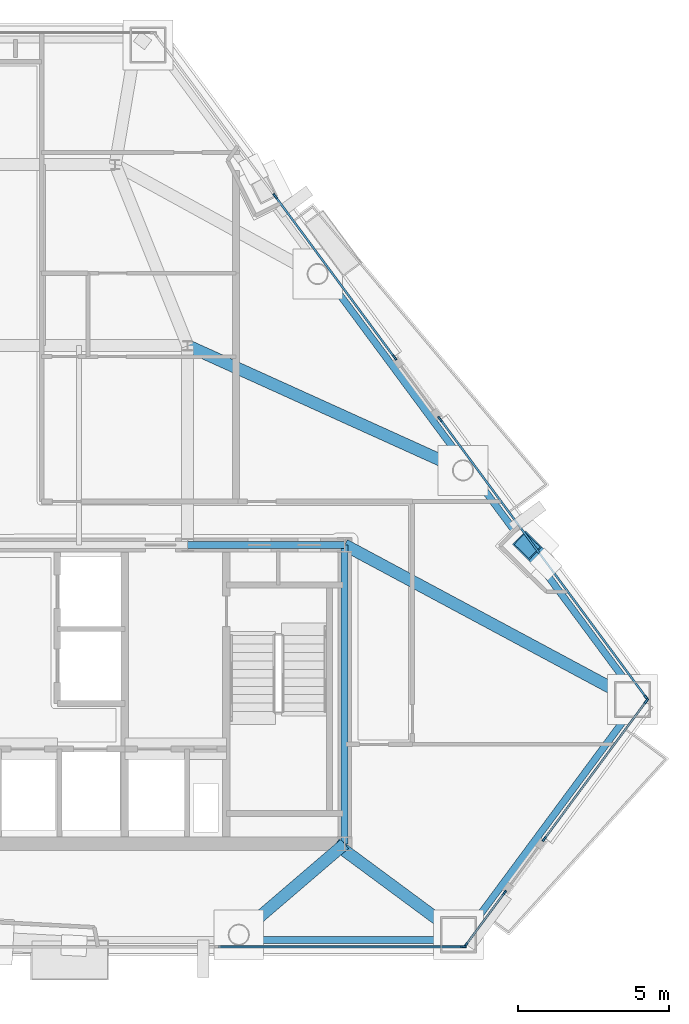
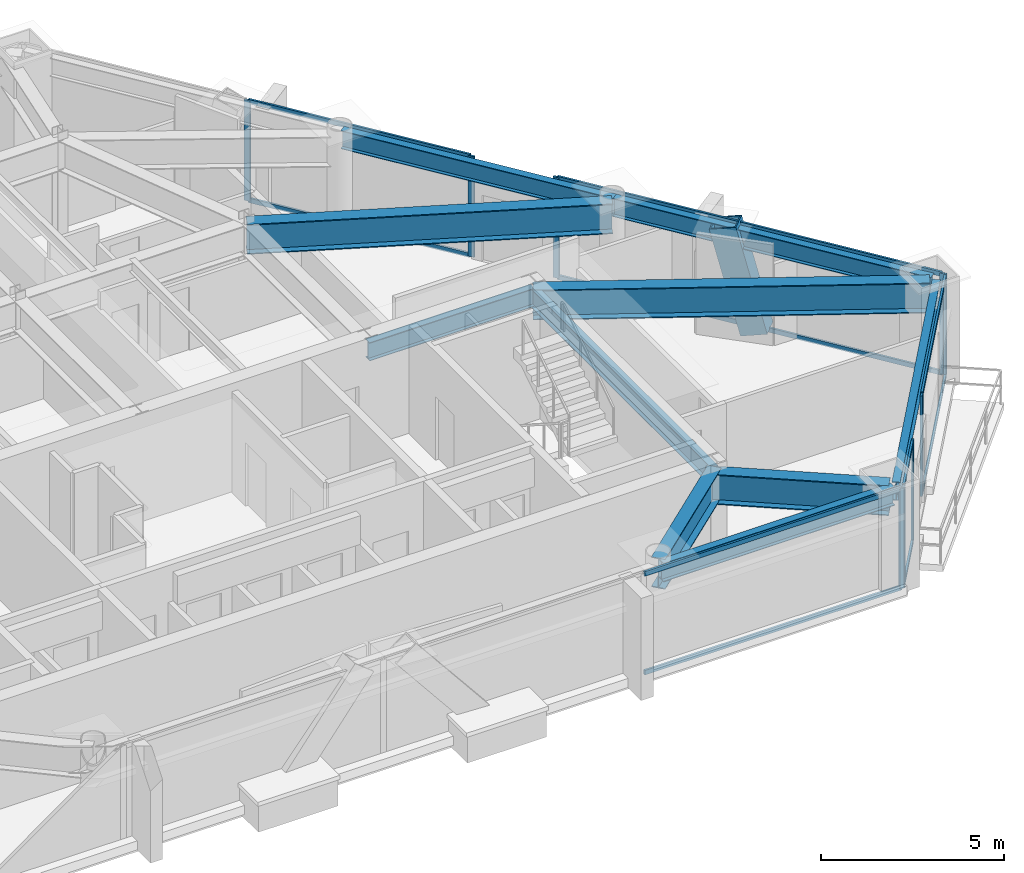
# One storey, part 5 of 11: 20 members, 10 beams, 5 elements without a shape of their own.
"""IFC4 building model written with IfcOpenShell, lengths in metres."""

from ifc_helpers import new_model, si_unit, direction, frame, origin, origin_2d, place, context, subcontext, project, spatial, rectangle, hollow_rectangle, i_section, extrude, material, layer, layer_set, material_profile, profile_set, type_object, element, aggregate, save


model = new_model("IFC4")

# Units and contexts
model_context = context("Model", 3, precision=1e-05, world=origin(), true_north=direction((0.0, 1.0)))
body_context = subcontext(model_context, "Body", "Model", "MODEL_VIEW")
ifc_project = project(units=[si_unit("LENGTHUNIT", "METRE"), si_unit("AREAUNIT", "SQUARE_METRE"), si_unit("VOLUMEUNIT", "CUBIC_METRE"), si_unit("PLANEANGLEUNIT", "RADIAN"), si_unit("MASSUNIT", "GRAM", prefix="KILO")], contexts=[model_context])

# Site, building, storey
site_placement = place(None, origin())
site = spatial("IfcSite", under=ifc_project, at=site_placement, CompositionType="ELEMENT")
building_placement = place(site_placement, origin())
building = spatial("IfcBuilding", under=site, at=building_placement, Name="Talgorran Terracotta Tower", CompositionType="ELEMENT")
storey_placement = place(building_placement, frame((0.0, 0.0, 110.39990234375)))
storey = spatial("IfcBuildingStorey", under=building, at=storey_placement, Name="L28", CompositionType="ELEMENT", Elevation=110.39990234375)

# Beams
ifc_material_1 = material(Name="Steel Grade 350 (350L0)", Category="steel")
ifc_material_profile_1 = material_profile(ifc_material_1, i_section(OverallWidth=0.39990234375, OverallDepth=1.0, WebThickness=0.01611328125, FlangeThickness=0.031005859375, at=origin_2d()), Name="1000WB296")
ifc_profile_set_1 = profile_set([ifc_material_profile_1], Name="Steel Grade 350 (350L0)")
beam_type_1 = type_object("IfcBeamType", Name="BM_1000WB296", PredefinedType="BEAM", material=ifc_profile_set_1)
beam_1_placement = place(storey_placement, frame((12.39990234375, -14.10009765625, 2.85009765625), z_axis=(-0.759159629556, -0.650904491345, 0.0), x_axis=(0.650904491345, -0.759159629556, 0.0)))
element("IfcBeam", 1, at=beam_1_placement, inside=storey, type_object=beam_type_1, Name="L28 South-East Core Tie Beam", PredefinedType="BEAM", context=body_context, shape_type="SweptSolid", body=[
    extrude(i_section(OverallWidth=0.39990234375, OverallDepth=1.0, WebThickness=0.01611328125, FlangeThickness=0.031005859375, at=origin_2d()), origin(), (0.0, 0.0, 1.0), 4.62109375),
])
beam_2_placement = place(storey_placement, frame((16.1669921875, -17.10791015625, 2.85009765625), z_axis=(-0.804001573254, 0.594627169077, 0.0), x_axis=(-0.594627169077, -0.804001573254, 0.0)))
element("IfcBeam", 2, at=beam_2_placement, inside=storey, type_object=beam_type_1, Name="L28 Perimeter Step Girder 5", PredefinedType="BEAM", context=body_context, shape_type="SweptSolid", body=[
    extrude(i_section(OverallWidth=0.39990234375, OverallDepth=1.0, WebThickness=0.01611328125, FlangeThickness=0.031005859375, at=origin_2d()), origin(), (0.0, 0.0, 1.0), 5.058349609375),
])
beam_3_placement = place(storey_placement, frame((7.199951171875, 2.39990234375, 2.85009765625), z_axis=(0.910987725051, -0.412433467126, 0.0), x_axis=(0.412433467126, 0.910987725051, 0.0)))
element("IfcBeam", 3, at=beam_3_placement, inside=storey, type_object=beam_type_1, Name="L28 Floor Girder G07", PredefinedType="BEAM", context=body_context, shape_type="SweptSolid", body=[
    extrude(i_section(OverallWidth=0.39990234375, OverallDepth=1.0, WebThickness=0.01611328125, FlangeThickness=0.031005859375, at=origin_2d()), origin(), (0.0, 0.0, 1.0), 10.010009765625),
])
beam_4_placement = place(storey_placement, frame((12.39990234375, -4.199951171875, 2.85009765625), z_axis=(0.88117219048, -0.472795485093, 0.0), x_axis=(0.472795485093, 0.88117219048, 0.0)))
element("IfcBeam", 4, at=beam_4_placement, inside=storey, type_object=beam_type_1, Name="L28 Floor Girder G18", PredefinedType="BEAM", context=body_context, shape_type="SweptSolid", body=[
    extrude(i_section(OverallWidth=0.39990234375, OverallDepth=1.0, WebThickness=0.01611328125, FlangeThickness=0.031005859375, at=origin_2d()), origin(), (0.0, 0.0, 1.0), 10.820068359375),
])
ifc_material_2 = material(Name="Steel S355 (300PLUS)", Category="steel")
ifc_material_profile_2 = material_profile(ifc_material_2, i_section(OverallWidth=0.22900390625, OverallDepth=0.611572265625, WebThickness=0.011962890625, FlangeThickness=0.01953125, at=origin_2d()), Name="610UB125")
ifc_profile_set_2 = profile_set([ifc_material_profile_2], Name="Steel S355 (300PLUS)")
beam_type_2 = type_object("IfcBeamType", Name="BM_SP_610UB125", PredefinedType="SPANDREL", material=ifc_profile_set_2)
beam_5_placement = place(storey_placement, frame((8.891845703125, -17.287841796875, 3.044189453125), z_axis=(1.0, 0.0, 0.0), x_axis=(0.0, 1.0, 0.0)))
element("IfcBeam", 5, at=beam_5_placement, inside=storey, type_object=beam_type_2, Name="L28 Perimeter Spandrel Beam FC2-MC3", PredefinedType="SPANDREL", context=body_context, shape_type="SweptSolid", body=[
    extrude(i_section(OverallWidth=0.22900390625, OverallDepth=0.611572265625, WebThickness=0.011962890625, FlangeThickness=0.01953125, at=origin_2d()), origin(), (0.0, 0.0, 1.0), 7.275146484375),
])
beam_6_placement = place(storey_placement, frame((16.311767578125, -17.21484375, 3.044189453125), z_axis=(0.594914928608, 0.803788671057, 0.0), x_axis=(-0.803788671057, 0.594914928608, 0.0)))
element("IfcBeam", 6, at=beam_6_placement, inside=storey, type_object=beam_type_2, Name="L28 Perimeter Spandrel Beam MC3-MC4", PredefinedType="SPANDREL", context=body_context, shape_type="SweptSolid", body=[
    extrude(i_section(OverallWidth=0.22900390625, OverallDepth=0.611572265625, WebThickness=0.011962890625, FlangeThickness=0.01953125, at=origin_2d()), origin(), (0.0, 0.0, 1.0), 9.6943359375),
])
beam_7_placement = place(storey_placement, frame((22.0791015625, -9.20849609375, 3.044189453125), z_axis=(-0.594926898508, 0.803779811535, 0.0), x_axis=(-0.803779811535, -0.594926898508, 0.0)))
element("IfcBeam", 7, at=beam_7_placement, inside=storey, type_object=beam_type_2, Name="L28 Perimeter Spandrel Beam MC4-FC3", PredefinedType="SPANDREL", context=body_context, shape_type="SweptSolid", body=[
    extrude(i_section(OverallWidth=0.22900390625, OverallDepth=0.611572265625, WebThickness=0.011962890625, FlangeThickness=0.01953125, at=origin_2d()), origin(), (0.0, 0.0, 1.0), 9.439453125),
])
beam_8_placement = place(storey_placement, frame((16.46337890625, -1.621337890625, 3.044189453125), z_axis=(-0.594899157913, 0.803800343316, 0.0), x_axis=(-0.803800343316, -0.594899157913, 0.0)))
element("IfcBeam", 8, at=beam_8_placement, inside=storey, type_object=beam_type_2, Name="L28 Perimeter Spandrel Beam FC3-FC4", PredefinedType="SPANDREL", context=body_context, shape_type="SweptSolid", body=[
    extrude(i_section(OverallWidth=0.22900390625, OverallDepth=0.611572265625, WebThickness=0.011962890625, FlangeThickness=0.01953125, at=origin_2d()), origin(), (0.0, 0.0, 1.0), 8.0908203125),
])
beam_9_placement = place(storey_placement, frame((12.39990234375, -14.10009765625, 3.044189453125), z_axis=(0.0, 1.0, 0.0), x_axis=(-1.0, 0.0, 0.0)))
element("IfcBeam", 9, at=beam_9_placement, inside=storey, type_object=beam_type_2, Name="L28 Core Frame Beam CFE", PredefinedType="SPANDREL", context=body_context, shape_type="SweptSolid", body=[
    extrude(i_section(OverallWidth=0.22900390625, OverallDepth=0.611572265625, WebThickness=0.011962890625, FlangeThickness=0.01953125, at=origin_2d()), origin(), (0.0, 0.0, 1.0), 9.900146484375),
])
beam_10_placement = place(storey_placement, frame((7.199951171875, -4.199951171875, 3.044189453125), z_axis=(1.0, 0.0, 0.0), x_axis=(0.0, 1.0, 0.0)))
element("IfcBeam", 10, at=beam_10_placement, inside=storey, type_object=beam_type_2, Name="L28 Core Frame Beam CFN4", PredefinedType="SPANDREL", context=body_context, shape_type="SweptSolid", body=[
    extrude(i_section(OverallWidth=0.22900390625, OverallDepth=0.611572265625, WebThickness=0.011962890625, FlangeThickness=0.01953125, at=origin_2d()), origin(), (0.0, 0.0, 1.0), 5.199951171875),
])

# Member
ifc_material_profile_3 = material_profile(ifc_material_1, hollow_rectangle(XDim=0.6201171875, YDim=0.780029296875, WallThickness=0.0419921875, at=origin_2d()), Name="WBOX780X620X42")
ifc_profile_set_3 = profile_set([ifc_material_profile_3], Name="Steel Grade 350 (350L0)")
member_type_1 = type_object("IfcMemberType", Name="MB_MEGA_780", PredefinedType="BRACE", material=ifc_profile_set_3)
member_1_placement = place(storey_placement, frame((19.071044921875, -4.841796875, -0.02490234375), z_axis=(-0.178707725428, 0.176274909251, 0.967982802141), x_axis=(-0.702244247623, -0.711936104353, 0.0)))
element("IfcMember", 11, at=member_1_placement, inside=storey, type_object=member_type_1, Name="L28 Exterior Face Mega-Brace MB-2 (NEL)", PredefinedType="BRACE", context=body_context, shape_type="SweptSolid", body=[
    extrude(hollow_rectangle(XDim=0.6201171875, YDim=0.780029296875, WallThickness=0.0419921875, at=origin_2d()), origin(), (0.0, 0.0, 1.0), 3.512451171875),
])

# Curtain wall, member
ifc_material_3 = material(Name="Unitised Low-E Double Glazing", Category="glass")
ifc_layer = layer(ifc_material_3, 0.199951171875, Name="CW_SYS2_RES_LOW")
ifc_layer_set = layer_set([ifc_layer], Name="Unitised Low-E Double Glazing")
curtain_wall_type = type_object("IfcCurtainWallType", Name="CW_SYS2_RES_LOW", PredefinedType="NOTDEFINED", material=ifc_layer_set)
curtain_wall_1_placement = place(storey_placement, origin())
curtain_wall_1 = element("IfcCurtainWall", 12, at=curtain_wall_1_placement, inside=storey, type_object=curtain_wall_type, Name="CW-L28-F1", PredefinedType="NOTDEFINED")
ifc_material_4 = material(Name="Architectural Aluminium 6063-T6", Category="aluminium")
ifc_material_profile_4 = material_profile(ifc_material_4, rectangle(XDim=0.06494140625, YDim=0.18505859375, at=origin_2d()), Name="CWM65X185")
ifc_profile_set_4 = profile_set([ifc_material_profile_4], Name="Architectural Aluminium 6063-T6")
member_type_2 = type_object("IfcMemberType", Name="MUL_65X185", PredefinedType="MULLION", material=ifc_profile_set_4)
member_2_placement = place(storey_placement, frame((16.336181640625, -17.5078125, 0.0), z_axis=(0.0, 0.0, 1.0), x_axis=(0.0, 1.0, 0.0)))
member_2 = element("IfcMember", 13, at=member_2_placement, type_object=member_type_2, Name="CW-L28-1 mullion 5", PredefinedType="MULLION", context=body_context, shape_type="SweptSolid", body=[
    extrude(rectangle(XDim=0.06494140625, YDim=0.18505859375, at=origin_2d()), origin(), (0.0, 0.0, 1.0), 3.35009765625),
])

# Curtain wall, members
curtain_wall_2_placement = place(storey_placement, origin())
curtain_wall_2 = element("IfcCurtainWall", 14, at=curtain_wall_2_placement, inside=storey, type_object=curtain_wall_type, Name="CW-L28-F30", PredefinedType="NOTDEFINED")
member_3_placement = place(storey_placement, frame((16.41162109375, -17.449462890625, 0.0), z_axis=(0.0, 0.0, 1.0), x_axis=(-0.803790399844, 0.594912592839, 0.0)))
member_3 = element("IfcMember", 15, at=member_3_placement, type_object=member_type_2, Name="CW-L28-30 mullion 1", PredefinedType="MULLION", context=body_context, shape_type="SweptSolid", body=[
    extrude(rectangle(XDim=0.06494140625, YDim=0.18505859375, at=origin_2d()), origin(), (0.0, 0.0, 1.0), 3.35009765625),
])
member_4_placement = place(storey_placement, frame((17.687744140625, -15.725341796875, 0.0), z_axis=(0.0, 0.0, 1.0), x_axis=(-0.803790399844, 0.594912592839, 0.0)))
member_4 = element("IfcMember", 16, at=member_4_placement, type_object=member_type_2, Name="CW-L28-30 mullion 2", PredefinedType="MULLION", context=body_context, shape_type="SweptSolid", body=[
    extrude(rectangle(XDim=0.06494140625, YDim=0.18505859375, at=origin_2d()), origin(), (0.0, 0.0, 1.0), 3.35009765625),
])

curtain_wall_3_placement = place(storey_placement, origin())
curtain_wall_3 = element("IfcCurtainWall", 17, at=curtain_wall_3_placement, inside=storey, type_object=curtain_wall_type, Name="CW-L28-F31", PredefinedType="NOTDEFINED")
member_5_placement = place(storey_placement, frame((19.011474609375, -13.93701171875, 0.0), z_axis=(0.0, 0.0, 1.0), x_axis=(-0.8037915991, 0.594910972512, 0.0)))
member_5 = element("IfcMember", 18, at=member_5_placement, type_object=member_type_2, Name="CW-L28-31 mullion 1", PredefinedType="MULLION", context=body_context, shape_type="SweptSolid", body=[
    extrude(rectangle(XDim=0.06494140625, YDim=0.18505859375, at=origin_2d()), origin(), (0.0, 0.0, 1.0), 3.35009765625),
])
member_6_placement = place(storey_placement, frame((22.388671875, -9.3740234375, 0.0), z_axis=(0.0, 0.0, 1.0), x_axis=(-0.8037915991, 0.594910972512, 0.0)))
member_6 = element("IfcMember", 19, at=member_6_placement, type_object=member_type_2, Name="CW-L28-31 mullion 2", PredefinedType="MULLION", context=body_context, shape_type="SweptSolid", body=[
    extrude(rectangle(XDim=0.06494140625, YDim=0.18505859375, at=origin_2d()), origin(), (0.0, 0.0, 1.0), 3.35009765625),
])

curtain_wall_4_placement = place(storey_placement, origin())
curtain_wall_4 = element("IfcCurtainWall", 20, at=curtain_wall_4_placement, inside=storey, type_object=curtain_wall_type, Name="CW-L28-F40", PredefinedType="NOTDEFINED")
member_7_placement = place(storey_placement, frame((22.388671875, -9.25732421875, 0.0), z_axis=(0.0, 0.0, 1.0), x_axis=(-0.803795124116, -0.594906209791, 0.0)))
member_7 = element("IfcMember", 21, at=member_7_placement, type_object=member_type_2, Name="CW-L28-40 mullion 1", PredefinedType="MULLION", context=body_context, shape_type="SweptSolid", body=[
    extrude(rectangle(XDim=0.06494140625, YDim=0.18505859375, at=origin_2d()), origin(), (0.0, 0.0, 1.0), 3.35009765625),
])
member_8_placement = place(storey_placement, frame((15.554931640625, -0.02392578125, 0.0), z_axis=(0.0, 0.0, 1.0), x_axis=(-0.803795124116, -0.594906209791, 0.0)))
member_8 = element("IfcMember", 22, at=member_8_placement, type_object=member_type_2, Name="CW-L28-40 mullion 2", PredefinedType="MULLION", context=body_context, shape_type="SweptSolid", body=[
    extrude(rectangle(XDim=0.06494140625, YDim=0.18505859375, at=origin_2d()), origin(), (0.0, 0.0, 1.0), 3.35009765625),
])

curtain_wall_5_placement = place(storey_placement, origin())
curtain_wall_5 = element("IfcCurtainWall", 23, at=curtain_wall_5_placement, inside=storey, type_object=curtain_wall_type, Name="CW-L28-F41", PredefinedType="NOTDEFINED")
member_9_placement = place(storey_placement, frame((14.052978515625, 2.005615234375, 0.0), z_axis=(0.0, 0.0, 1.0), x_axis=(-0.803793418568, -0.594908514199, 0.0)))
member_9 = element("IfcMember", 24, at=member_9_placement, type_object=member_type_2, Name="CW-L28-41 mullion 1", PredefinedType="MULLION", context=body_context, shape_type="SweptSolid", body=[
    extrude(rectangle(XDim=0.06494140625, YDim=0.18505859375, at=origin_2d()), origin(), (0.0, 0.0, 1.0), 3.35009765625),
])
member_10_placement = place(storey_placement, frame((10.09375, 7.354736328125, 0.0), z_axis=(0.0, 0.0, 1.0), x_axis=(-0.803793418568, -0.594908514199, 0.0)))
member_10 = element("IfcMember", 25, at=member_10_placement, type_object=member_type_2, Name="CW-L28-41 mullion 2", PredefinedType="MULLION", context=body_context, shape_type="SweptSolid", body=[
    extrude(rectangle(XDim=0.06494140625, YDim=0.18505859375, at=origin_2d()), origin(), (0.0, 0.0, 1.0), 3.35009765625),
])

# Member
ifc_material_profile_5 = material_profile(ifc_material_4, rectangle(XDim=0.06494140625, YDim=0.14990234375, at=origin_2d()), Name="CWT65X150")
ifc_profile_set_5 = profile_set([ifc_material_profile_5], Name="Architectural Aluminium 6063-T6")
member_type_3 = type_object("IfcMemberType", Name="TRN_65X150", PredefinedType="USERDEFINED", material=ifc_profile_set_5)
member_11_placement = place(storey_placement, frame((8.216796875, -17.5078125, 0.03271484375), z_axis=(1.0, 0.0, 0.0), x_axis=(0.0, 1.0, 0.0)))
member_11 = element("IfcMember", 26, at=member_11_placement, type_object=member_type_3, Name="CW-L28-1 transom 4.1", ObjectType="TRANSOM", PredefinedType="USERDEFINED", context=body_context, shape_type="SweptSolid", body=[
    extrude(rectangle(XDim=0.06494140625, YDim=0.14990234375, at=origin_2d()), origin(), (0.0, 0.0, 1.0), 8.0869140625),
])

member_12_placement = place(storey_placement, frame((8.216796875, -17.5078125, 3.317626953125), z_axis=(1.0, 0.0, 0.0), x_axis=(0.0, 1.0, 0.0)))
member_12 = element("IfcMember", 27, at=member_12_placement, type_object=member_type_3, Name="CW-L28-1 transom 4.2", ObjectType="TRANSOM", PredefinedType="USERDEFINED", context=body_context, shape_type="SweptSolid", body=[
    extrude(rectangle(XDim=0.06494140625, YDim=0.14990234375, at=origin_2d()), origin(), (0.0, 0.0, 1.0), 8.0869140625),
])

aggregate(curtain_wall_1, [member_2, member_11, member_12])

member_13_placement = place(storey_placement, frame((16.43115234375, -17.42333984375, 0.03271484375), z_axis=(0.594879410958, 0.803814957822, 0.0), x_axis=(-0.803814957822, 0.594879410958, 0.0)))
member_13 = element("IfcMember", 28, at=member_13_placement, type_object=member_type_3, Name="CW-L28-30 transom 1.1", ObjectType="TRANSOM", PredefinedType="USERDEFINED", context=body_context, shape_type="SweptSolid", body=[
    extrude(rectangle(XDim=0.06494140625, YDim=0.14990234375, at=origin_2d()), origin(), (0.0, 0.0, 1.0), 2.079833984375),
])

member_14_placement = place(storey_placement, frame((16.43115234375, -17.42333984375, 3.317626953125), z_axis=(0.594879410958, 0.803814957822, 0.0), x_axis=(-0.803814957822, 0.594879410958, 0.0)))
member_14 = element("IfcMember", 29, at=member_14_placement, type_object=member_type_3, Name="CW-L28-30 transom 1.2", ObjectType="TRANSOM", PredefinedType="USERDEFINED", context=body_context, shape_type="SweptSolid", body=[
    extrude(rectangle(XDim=0.06494140625, YDim=0.14990234375, at=origin_2d()), origin(), (0.0, 0.0, 1.0), 2.079833984375),
])

aggregate(curtain_wall_2, [member_3, member_4, member_13, member_14])

member_15_placement = place(storey_placement, frame((19.03076171875, -13.910888671875, 0.03271484375), z_axis=(0.594920588401, 0.803784481996, 0.0), x_axis=(-0.803784481996, 0.594920588401, 0.0)))
member_15 = element("IfcMember", 30, at=member_15_placement, type_object=member_type_3, Name="CW-L28-31 transom 1.1", ObjectType="TRANSOM", PredefinedType="USERDEFINED", context=body_context, shape_type="SweptSolid", body=[
    extrude(rectangle(XDim=0.06494140625, YDim=0.14990234375, at=origin_2d()), origin(), (0.0, 0.0, 1.0), 5.61181640625),
])

member_16_placement = place(storey_placement, frame((19.03076171875, -13.910888671875, 3.317626953125), z_axis=(0.594920588401, 0.803784481996, 0.0), x_axis=(-0.803784481996, 0.594920588401, 0.0)))
member_16 = element("IfcMember", 31, at=member_16_placement, type_object=member_type_3, Name="CW-L28-31 transom 1.2", ObjectType="TRANSOM", PredefinedType="USERDEFINED", context=body_context, shape_type="SweptSolid", body=[
    extrude(rectangle(XDim=0.06494140625, YDim=0.14990234375, at=origin_2d()), origin(), (0.0, 0.0, 1.0), 5.61181640625),
])

aggregate(curtain_wall_3, [member_5, member_6, member_15, member_16])

member_17_placement = place(storey_placement, frame((22.369384765625, -9.231201171875, 0.03271484375), z_axis=(-0.594892172589, 0.803805513164, 0.0), x_axis=(-0.803805513164, -0.594892172589, 0.0)))
member_17 = element("IfcMember", 32, at=member_17_placement, type_object=member_type_3, Name="CW-L28-40 transom 1.1", ObjectType="TRANSOM", PredefinedType="USERDEFINED", context=body_context, shape_type="SweptSolid", body=[
    extrude(rectangle(XDim=0.06494140625, YDim=0.14990234375, at=origin_2d()), origin(), (0.0, 0.0, 1.0), 11.422119140625),
])

member_18_placement = place(storey_placement, frame((22.369384765625, -9.231201171875, 3.317626953125), z_axis=(-0.594892172589, 0.803805513164, 0.0), x_axis=(-0.803805513164, -0.594892172589, 0.0)))
member_18 = element("IfcMember", 33, at=member_18_placement, type_object=member_type_3, Name="CW-L28-40 transom 1.2", ObjectType="TRANSOM", PredefinedType="USERDEFINED", context=body_context, shape_type="SweptSolid", body=[
    extrude(rectangle(XDim=0.06494140625, YDim=0.14990234375, at=origin_2d()), origin(), (0.0, 0.0, 1.0), 11.422119140625),
])

aggregate(curtain_wall_4, [member_7, member_8, member_17, member_18])

member_19_placement = place(storey_placement, frame((14.033447265625, 2.03173828125, 0.03271484375), z_axis=(-0.594913862198, 0.803789460347, 0.0), x_axis=(-0.803789460347, -0.594913862198, 0.0)))
member_19 = element("IfcMember", 34, at=member_19_placement, type_object=member_type_3, Name="CW-L28-41 transom 1.1", ObjectType="TRANSOM", PredefinedType="USERDEFINED", context=body_context, shape_type="SweptSolid", body=[
    extrude(rectangle(XDim=0.06494140625, YDim=0.14990234375, at=origin_2d()), origin(), (0.0, 0.0, 1.0), 6.58984375),
])

member_20_placement = place(storey_placement, frame((14.033447265625, 2.03173828125, 3.317626953125), z_axis=(-0.594913862198, 0.803789460347, 0.0), x_axis=(-0.803789460347, -0.594913862198, 0.0)))
member_20 = element("IfcMember", 35, at=member_20_placement, type_object=member_type_3, Name="CW-L28-41 transom 1.2", ObjectType="TRANSOM", PredefinedType="USERDEFINED", context=body_context, shape_type="SweptSolid", body=[
    extrude(rectangle(XDim=0.06494140625, YDim=0.14990234375, at=origin_2d()), origin(), (0.0, 0.0, 1.0), 6.58984375),
])

aggregate(curtain_wall_5, [member_9, member_10, member_19, member_20])

save(model, "model.ifc")
